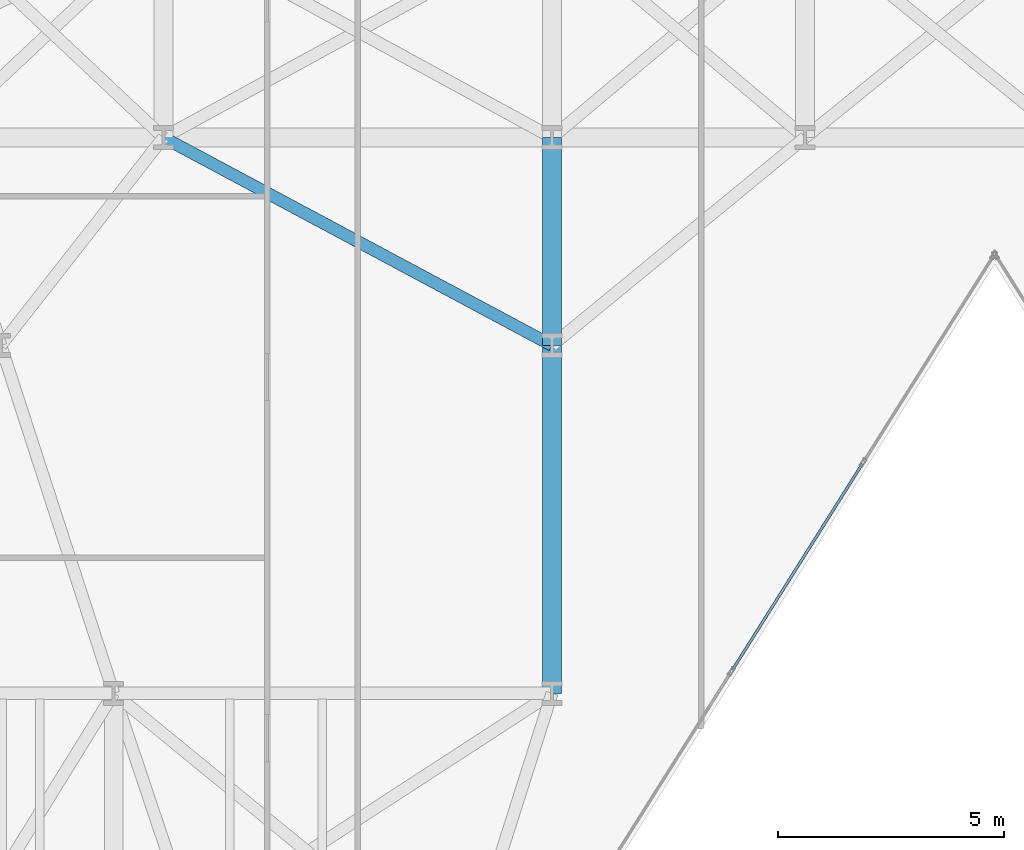
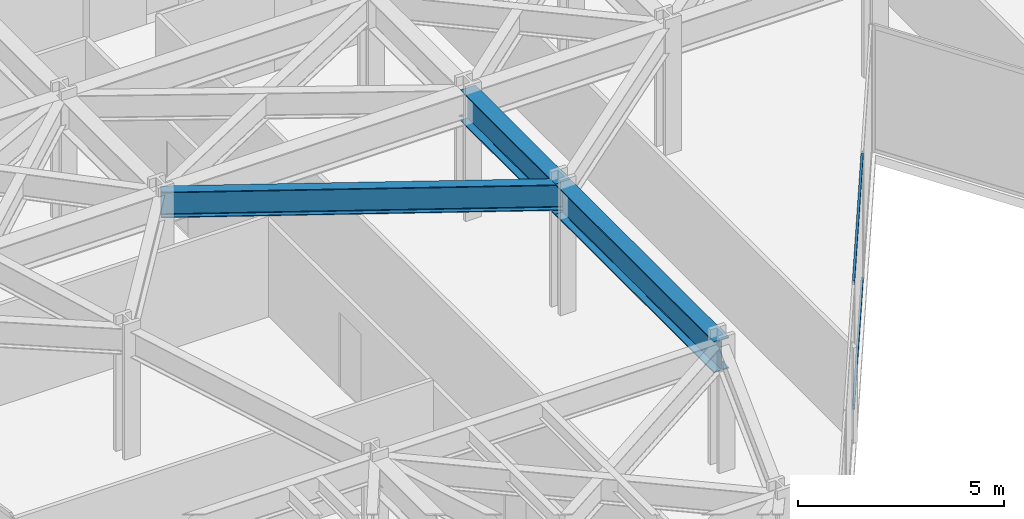
# One storey, part 9 of 25: 3 beams, 2 members, 1 element without a shape of its own.
"""IFC4 building model written with IfcOpenShell, lengths in metres."""

from ifc_helpers import new_model, si_unit, direction, frame, origin, origin_2d, place, context, subcontext, project, spatial, hollow_rectangle, i_section, extrude, material, layer, layer_set, material_profile, profile_set, type_object, element, aggregate, save


model = new_model("IFC4")

# Units and contexts
model_context = context("Model", 3, precision=1e-05, world=origin(), true_north=direction((0.0, 1.0)))
body_context = subcontext(model_context, "Body", "Model", "MODEL_VIEW")
ifc_project = project(units=[si_unit("LENGTHUNIT", "METRE"), si_unit("AREAUNIT", "SQUARE_METRE"), si_unit("VOLUMEUNIT", "CUBIC_METRE"), si_unit("PLANEANGLEUNIT", "RADIAN"), si_unit("MASSUNIT", "GRAM", prefix="KILO")], contexts=[model_context])

# Site, building, storey
site_placement = place(None, origin())
site = spatial("IfcSite", under=ifc_project, at=site_placement, CompositionType="ELEMENT")
building_placement = place(site_placement, origin())
building = spatial("IfcBuilding", under=site, at=building_placement, Name="Kravanh Interchange Tower", CompositionType="ELEMENT")
storey_placement = place(building_placement, frame((0.0, 0.0, 57.5)))
storey = spatial("IfcBuildingStorey", under=building, at=storey_placement, Name="L13", CompositionType="ELEMENT", Elevation=57.5)

# Curtain wall, members
ifc_material_1 = material(Name="Anodised Bronze Aluminium", Category="aluminium")
ifc_layer = layer(ifc_material_1, 0.179931640625)
ifc_layer_set = layer_set([ifc_layer], Name="Unitised Curtain Wall System CW-Z1 Lower Office")
curtain_wall_type = type_object("IfcCurtainWallType", Name="Unitised Curtain Wall System CW-Z1 Lower Office", PredefinedType="NOTDEFINED", material=ifc_layer_set)
curtain_wall_placement = place(storey_placement, origin())
curtain_wall = element("IfcCurtainWall", 1, at=curtain_wall_placement, inside=storey, type_object=curtain_wall_type, Name="L13 Unitised Curtain Wall CW-L13-05", PredefinedType="NOTDEFINED")
ifc_material_2 = material(Name="Anodised Bronze Aluminium", Category="aluminium")
ifc_material_profile_1 = material_profile(ifc_material_2, hollow_rectangle(XDim=0.06005859375, YDim=0.139892578125, WallThickness=0.00390625, at=origin_2d()), Name="ALU60X140X4")
ifc_profile_set_1 = profile_set([ifc_material_profile_1], Name="Anodised Bronze Aluminium")
member_type = type_object("IfcMemberType", Name="Curtain Wall Transom ALU60X140X4 Bronze", PredefinedType="USERDEFINED", material=ifc_profile_set_1)
member_1_placement = place(storey_placement, frame((34.068115234375, 19.574462890625, 0.030029296875), z_axis=(-0.533311487456, -0.84591894254, 0.0), x_axis=(0.84591894254, -0.533311487456, 0.0)))
member_1 = element("IfcMember", 2, at=member_1_placement, type_object=member_type, Name="CW-Z1 transom 2.1", ObjectType="TRANSOM", PredefinedType="USERDEFINED", context=body_context, shape_type="SweptSolid", body=[
    extrude(hollow_rectangle(XDim=0.06005859375, YDim=0.139892578125, WallThickness=0.00390625, at=origin_2d()), origin(), (0.0, 0.0, 1.0), 5.392578125),
])
member_2_placement = place(storey_placement, frame((34.068115234375, 19.574462890625, 3.7099609375), z_axis=(-0.533311487456, -0.84591894254, 0.0), x_axis=(0.84591894254, -0.533311487456, 0.0)))
member_2 = element("IfcMember", 3, at=member_2_placement, type_object=member_type, Name="CW-Z1 transom 2.2", ObjectType="TRANSOM", PredefinedType="USERDEFINED", context=body_context, shape_type="SweptSolid", body=[
    extrude(hollow_rectangle(XDim=0.06005859375, YDim=0.139892578125, WallThickness=0.00390625, at=origin_2d()), origin(), (0.0, 0.0, 1.0), 5.392578125),
])
aggregate(curtain_wall, [member_1, member_2])

# Beams
ifc_material_3 = material(Name="Structural Steel S355", Category="steel")
ifc_material_profile_2 = material_profile(ifc_material_3, i_section(OverallWidth=0.41796875, OverallDepth=0.927001953125, WebThickness=0.019287109375, FlangeThickness=0.031982421875, FilletRadius=0.028076171875, at=origin_2d()), Name="W36X231")
ifc_profile_set_2 = profile_set([ifc_material_profile_2], Name="Structural Steel S355")
beam_type_1 = type_object("IfcBeamType", Name="Floor Beam W36X231 Structural Steel S355", PredefinedType="BEAM", material=ifc_profile_set_2)
beam_1_placement = place(storey_placement, frame((27.199951171875, 22.199951171875, 3.276611328125), z_axis=(0.0, 1.0, 0.0), x_axis=(-1.0, 0.0, 0.0)))
element("IfcBeam", 4, at=beam_1_placement, inside=storey, type_object=beam_type_1, Name="L13 Primary Floor Girder 54", PredefinedType="BEAM", context=body_context, shape_type="SweptSolid", body=[
    extrude(i_section(OverallWidth=0.41796875, OverallDepth=0.927001953125, WebThickness=0.019287109375, FlangeThickness=0.031982421875, FilletRadius=0.028076171875, at=origin_2d()), origin(), (0.0, 0.0, 1.0), 4.60009765625),
])
beam_2_placement = place(storey_placement, frame((27.199951171875, 22.199951171875, 3.276611328125), z_axis=(0.0, -1.0, 0.0), x_axis=(1.0, 0.0, 0.0)))
element("IfcBeam", 5, at=beam_2_placement, inside=storey, type_object=beam_type_1, Name="L13 Primary Floor Girder 56", PredefinedType="BEAM", context=body_context, shape_type="SweptSolid", body=[
    extrude(i_section(OverallWidth=0.41796875, OverallDepth=0.927001953125, WebThickness=0.019287109375, FlangeThickness=0.031982421875, FilletRadius=0.028076171875, at=origin_2d()), origin(), (0.0, 0.0, 1.0), 7.699951171875),
])
ifc_material_4 = material(Name="Structural Steel S355", Category="steel")
ifc_material_profile_3 = material_profile(ifc_material_4, i_section(OverallWidth=0.26708984375, OverallDepth=0.761962890625, WebThickness=0.014404296875, FlangeThickness=0.021484375, FilletRadius=0.02490234375, at=origin_2d()), Name="W30X116")
ifc_profile_set_3 = profile_set([ifc_material_profile_3], Name="Structural Steel S355")
beam_type_2 = type_object("IfcBeamType", Name="Floor Spandrel W30X116 Structural Steel S355", PredefinedType="SPANDREL", material=ifc_profile_set_3)
beam_3_placement = place(storey_placement, frame((27.199951171875, 22.199951171875, 3.35888671875), z_axis=(-0.881777136221, 0.471666282489, 0.0), x_axis=(-0.471666282489, -0.881777136221, 0.0)))
element("IfcBeam", 6, at=beam_3_placement, inside=storey, type_object=beam_type_2, Name="L13 Perimeter Spandrel 57", PredefinedType="SPANDREL", context=body_context, shape_type="SweptSolid", body=[
    extrude(i_section(OverallWidth=0.26708984375, OverallDepth=0.761962890625, WebThickness=0.014404296875, FlangeThickness=0.021484375, FilletRadius=0.02490234375, at=origin_2d()), origin(), (0.0, 0.0, 1.0), 9.7529296875),
])

save(model, "model.ifc")
